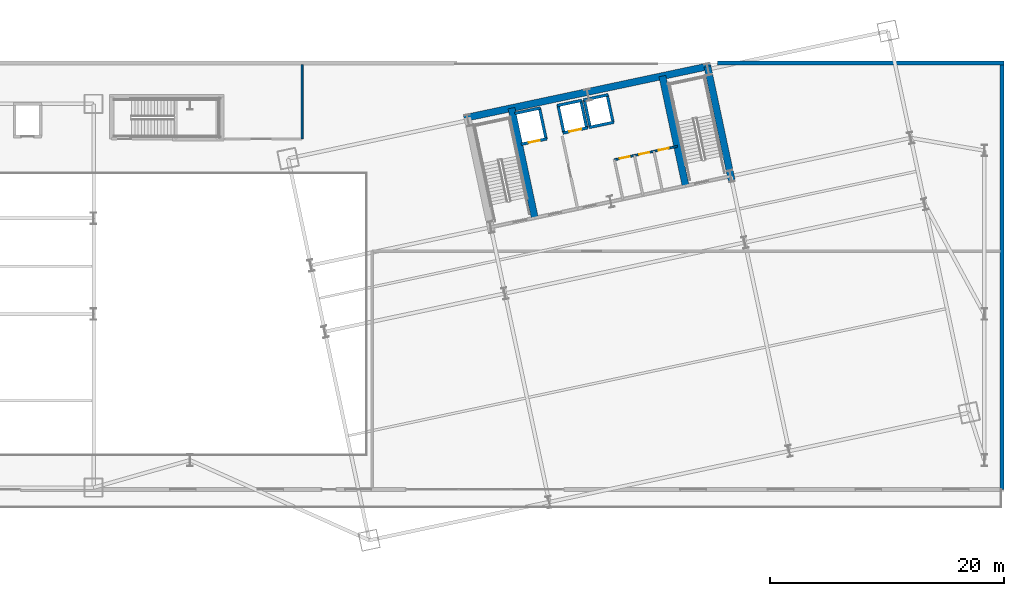
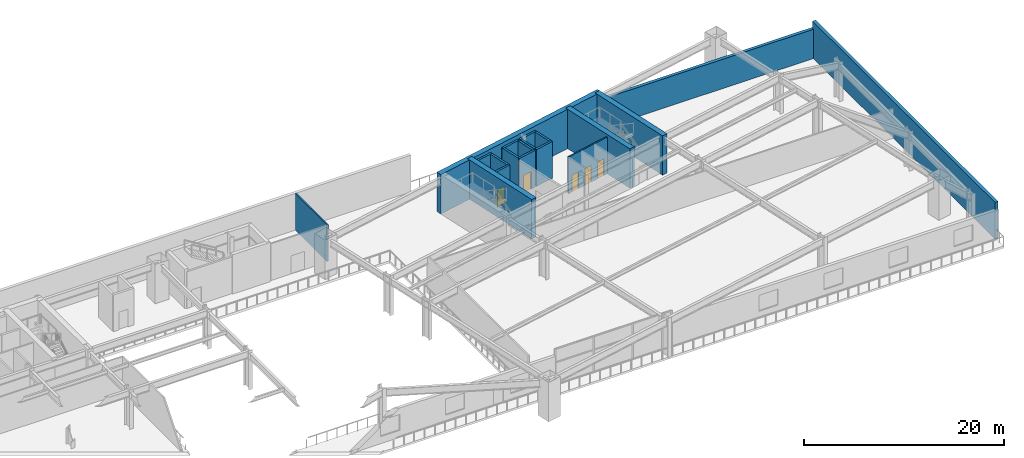
# One storey, part 15 of 28: 19 walls, 5 doors, 5 openings.
"""IFC4 building model written with IfcOpenShell, lengths in metres."""

from ifc_helpers import new_model, si_unit, direction, frame, frame_2d, origin, place, context, subcontext, project, spatial, rectangle, extrude, material, layer, layer_set, type_object, element, fill, save


model = new_model("IFC4")

# Units and contexts
model_context = context("Model", 3, precision=1e-05, world=origin(), true_north=direction((0.0, 1.0)))
body_context = subcontext(model_context, "Body", "Model", "MODEL_VIEW")
ifc_project = project(units=[si_unit("LENGTHUNIT", "METRE"), si_unit("AREAUNIT", "SQUARE_METRE"), si_unit("VOLUMEUNIT", "CUBIC_METRE"), si_unit("PLANEANGLEUNIT", "RADIAN"), si_unit("MASSUNIT", "GRAM", prefix="KILO")], contexts=[model_context])

# Site, building, storey
site_placement = place(None, origin())
site = spatial("IfcSite", under=ifc_project, at=site_placement, CompositionType="ELEMENT")
building_placement = place(site_placement, origin())
building = spatial("IfcBuilding", under=site, at=building_placement, Name="Haevon Station Towers", CompositionType="ELEMENT")
storey_placement = place(building_placement, frame((0.0, 0.0, 10.800048828125)))
storey = spatial("IfcBuildingStorey", under=building, at=storey_placement, Name="L02", CompositionType="ELEMENT", Elevation=10.800048828125)

# Walls
ifc_material_1 = material(Name="Concrete C60/75", Category="concrete")
ifc_layer_1 = layer(ifc_material_1, 0.60009765625)
ifc_layer_set_1 = layer_set([ifc_layer_1], Name="Concrete C60/75")
wall_type_1 = type_object("IfcWallType", Name="WL-CR600", PredefinedType="SHEAR", material=ifc_layer_set_1)
wall_1_placement = place(storey_placement, frame((96.462890625, 46.770263671875, 0.0), z_axis=(0.0, 0.0, 1.0), x_axis=(0.978147272959, 0.207913232873, 0.0)))
element("IfcWall", 1, at=wall_1_placement, inside=storey, type_object=wall_type_1, Name="WL-T2CR-L02-N", PredefinedType="SHEAR", context=body_context, shape_type="SweptSolid", body=[
    extrude(rectangle(XDim=21.60009765625, YDim=0.60009765625, at=frame_2d((10.800048828125, 0.0))), origin(), (0.0, 0.0, 1.0), 4.800048828125),
])
wall_2_placement = place(storey_placement, frame((119.401611328125, 41.2998046875, 0.0), z_axis=(0.0, 0.0, 1.0), x_axis=(-0.207904342798, 0.978149162575, 0.0)))
element("IfcWall", 2, at=wall_2_placement, inside=storey, type_object=wall_type_1, Name="WL-T2CR-L02-E", PredefinedType="SHEAR", context=body_context, shape_type="SweptSolid", body=[
    extrude(rectangle(XDim=10.1201171875, YDim=0.60009765625, at=frame_2d((5.06005859375, 0.0))), origin(), (0.0, 0.0, 1.0), 4.800048828125),
])
for number, where, z_axis, x_axis, name in (
    (3, (102.518310546875, 38.242919921875, 0.0), (0.0, 0.0, 1.0), (-0.207927495108, 0.978144241295, 0.0), "WL-T2CR-L02-M1"),
    (4, (115.4296875, 40.9873046875, 0.0), (0.0, 0.0, 1.0), (-0.207903162969, 0.978149413345, 0.0), "WL-T2CR-L02-M2"),
):
    element("IfcWall", number, at=place(storey_placement, frame(where, z_axis=z_axis, x_axis=x_axis)), inside=storey, type_object=wall_type_1, Name=name, PredefinedType="SHEAR", context=body_context, shape_type="SweptSolid", body=[
        extrude(rectangle(XDim=9.599853515625, YDim=0.60009765625, at=frame_2d((4.7998046875, 0.0))), origin(), (0.0, 0.0, 1.0), 4.800048828125),
    ])
ifc_material_2 = material(Name="Precast concrete C45/55", Category="concrete")
ifc_layer_2 = layer(ifc_material_2, 0.360107421875)
ifc_layer_set_2 = layer_set([ifc_layer_2], Name="Precast concrete C45/55")
wall_type_2 = type_object("IfcWallType", Name="WL-EXT-POD360", PredefinedType="SOLIDWALL", material=ifc_layer_set_2)
wall_3_placement = place(storey_placement, frame((118.14990234375, 51.5, 0.0), z_axis=(0.0, 0.0, 1.0), x_axis=(1.0, 0.0, 0.0)))
element("IfcWall", 5, at=wall_3_placement, inside=storey, type_object=wall_type_2, Name="WL-POD-L02-N2", PredefinedType="SOLIDWALL", context=body_context, shape_type="SweptSolid", body=[
    extrude(rectangle(XDim=24.530029296875, YDim=0.360107421875, at=frame_2d((12.26513671875, 0.0))), origin(), (0.0, 0.0, 1.0), 3.579833984375),
])
wall_4_placement = place(storey_placement, frame((142.5, 51.5, 0.0), z_axis=(0.0, 0.0, 1.0), x_axis=(0.0, -1.0, 0.0)))
element("IfcWall", 6, at=wall_4_placement, inside=storey, type_object=wall_type_2, Name="WL-POD-L02-E", PredefinedType="SOLIDWALL", context=body_context, shape_type="SweptSolid", body=[
    extrude(rectangle(XDim=36.5, YDim=0.360107421875, at=frame_2d((18.25, 0.0))), origin(), (0.0, 0.0, 1.0), 4.47998046875),
])
ifc_material_3 = material(Name="Gypsum board on steel stud", Category="steel")
ifc_layer_3 = layer(ifc_material_3, 0.159912109375)
ifc_layer_set_3 = layer_set([ifc_layer_3], Name="Gypsum board on steel stud")
wall_type_3 = type_object("IfcWallType", Name="WL-PRT160", PredefinedType="PARTITIONING", material=ifc_layer_set_3)
wall_5_placement = place(storey_placement, frame((82.60009765625, 45.0, 0.0), z_axis=(0.0, 0.0, 1.0), x_axis=(0.0, 1.0, 0.0)))
element("IfcWall", 7, at=wall_5_placement, inside=storey, type_object=wall_type_3, Name="WL-L02-NORTHE", PredefinedType="PARTITIONING", context=body_context, shape_type="SweptSolid", body=[
    extrude(rectangle(XDim=6.35009765625, YDim=0.159912109375, at=frame_2d((3.175048828125, 0.0))), origin(), (0.0, 0.0, 1.0), 4.47998046875),
])

# Wall, openings, doors
wall_6_placement = place(storey_placement, frame((109.332763671875, 43.218505859375, 0.0), z_axis=(0.0, 0.0, 1.0), x_axis=(0.978153773776, 0.207882646816, 0.0)))
wall_6 = element("IfcWall", 8, at=wall_6_placement, inside=storey, type_object=wall_type_3, Name="WL-T2CW-L02-04", PredefinedType="PARTITIONING", context=body_context, shape_type="SweptSolid", body=[
    extrude(rectangle(XDim=5.499755859375, YDim=0.159912109375, at=frame_2d((2.75, 0.0))), origin(), (0.0, 0.0, 1.0), 4.47998046875),
])
opening_1_placement = place(wall_6_placement, frame((0.469970703125, 0.0, 0.0)))
opening_1 = element("IfcOpeningElement", 9, at=opening_1_placement, cuts=wall_6, Name="Opening DR-WL-T2CW-L02-04-1", PredefinedType="OPENING", context=body_context, shape_type="SweptSolid", body=[
    extrude(rectangle(XDim=0.85009765625, YDim=2.050048828125, at=frame_2d((0.425048828125, 1.02490234375))), frame((0.0, 0.08984375, 0.0), z_axis=(0.0, -1.0, 0.0), x_axis=(1.0, 0.0, 0.0)), (0.0, 0.0, 1.0), 0.179931640625),
])
opening_2_placement = place(wall_6_placement, frame((2.179931640625, 0.0, 0.0)))
opening_2 = element("IfcOpeningElement", 10, at=opening_2_placement, cuts=wall_6, Name="Opening DR-WL-T2CW-L02-04-2", PredefinedType="OPENING", context=body_context, shape_type="SweptSolid", body=[
    extrude(rectangle(XDim=0.85009765625, YDim=2.050048828125, at=frame_2d((0.425048828125, 1.02490234375))), frame((0.0, 0.08984375, 0.0), z_axis=(0.0, -1.0, 0.0), x_axis=(1.0, 0.0, 0.0)), (0.0, 0.0, 1.0), 0.179931640625),
])
opening_3_placement = place(wall_6_placement, frame((3.89501953125, 0.0, 0.0)))
opening_3 = element("IfcOpeningElement", 11, at=opening_3_placement, cuts=wall_6, Name="Opening DR-WL-T2CW-L02-04-3", PredefinedType="OPENING", context=body_context, shape_type="SweptSolid", body=[
    extrude(rectangle(XDim=0.85009765625, YDim=2.050048828125, at=frame_2d((0.425048828125, 1.02490234375))), frame((0.0, 0.08984375, 0.0), z_axis=(0.0, -1.0, 0.0), x_axis=(1.0, 0.0, 0.0)), (0.0, 0.0, 1.0), 0.179931640625),
])
ifc_material_4 = material(Name="Engineered oak timber", Category="wood")
door_type_1 = type_object("IfcDoorType", Name="DR-FD30-850", OperationType="NOTDEFINED", PredefinedType="DOOR", material=ifc_material_4)
door_1_placement = place(opening_1_placement, origin())
door_1 = element("IfcDoor", 12, at=door_1_placement, inside=storey, type_object=door_type_1, Name="L02 Tower 2 Core Room Door 4-1", OperationType="SINGLE_SWING_RIGHT", OverallHeight=2.050048828125, OverallWidth=0.85009765625, PredefinedType="DOOR", context=body_context, shape_type="SweptSolid", body=[
    extrude(rectangle(XDim=0.85009765625, YDim=2.050048828125, at=frame_2d((0.425048828125, 1.02490234375))), frame((0.0, 0.02490234375, 0.0), z_axis=(0.0, -1.0, 0.0), x_axis=(1.0, 0.0, 0.0)), (0.0, 0.0, 1.0), 0.050048828125),
])
fill(opening_1, door_1)
door_2_placement = place(opening_2_placement, origin())
door_2 = element("IfcDoor", 13, at=door_2_placement, inside=storey, type_object=door_type_1, Name="L02 Tower 2 Core Room Door 4-2", OperationType="SINGLE_SWING_LEFT", OverallHeight=2.050048828125, OverallWidth=0.85009765625, PredefinedType="DOOR", context=body_context, shape_type="SweptSolid", body=[
    extrude(rectangle(XDim=0.85009765625, YDim=2.050048828125, at=frame_2d((0.425048828125, 1.02490234375))), frame((0.0, 0.02490234375, 0.0), z_axis=(0.0, -1.0, 0.0), x_axis=(1.0, 0.0, 0.0)), (0.0, 0.0, 1.0), 0.050048828125),
])
fill(opening_2, door_2)
door_3_placement = place(opening_3_placement, origin())
door_3 = element("IfcDoor", 14, at=door_3_placement, inside=storey, type_object=door_type_1, Name="L02 Tower 2 Core Room Door 4-3", OperationType="SINGLE_SWING_RIGHT", OverallHeight=2.050048828125, OverallWidth=0.85009765625, PredefinedType="DOOR", context=body_context, shape_type="SweptSolid", body=[
    extrude(rectangle(XDim=0.85009765625, YDim=2.050048828125, at=frame_2d((0.425048828125, 1.02490234375))), frame((0.0, 0.02490234375, 0.0), z_axis=(0.0, -1.0, 0.0), x_axis=(1.0, 0.0, 0.0)), (0.0, 0.0, 1.0), 0.050048828125),
])
fill(opening_3, door_3)

# Wall, opening, door
ifc_material_5 = material(Name="Concrete C40/50", Category="concrete")
ifc_layer_4 = layer(ifc_material_5, 0.239990234375)
ifc_layer_set_4 = layer_set([ifc_layer_4], Name="Concrete C40/50")
wall_type_4 = type_object("IfcWallType", Name="WL-SHF240", PredefinedType="PARTITIONING", material=ifc_layer_set_4)
wall_7_placement = place(storey_placement, frame((101.353759765625, 44.538330078125, 0.0), z_axis=(0.0, 0.0, 1.0), x_axis=(0.978141002414, 0.207942731049, 0.0)))
wall_7 = element("IfcWall", 15, at=wall_7_placement, inside=storey, type_object=wall_type_4, Name="WL-SHF-FL2-L02", PredefinedType="PARTITIONING", context=body_context, shape_type="SweptSolid", body=[
    extrude(rectangle(XDim=2.260009765625, YDim=0.239990234375, at=frame_2d((1.1298828125, 0.0))), origin(), (0.0, 0.0, 1.0), 4.47998046875),
])
opening_4_placement = place(wall_7_placement, frame((0.655029296875, 0.0, 0.0)))
opening_4 = element("IfcOpeningElement", 16, at=opening_4_placement, cuts=wall_7, Name="Opening LD-FL2-L02", PredefinedType="OPENING", context=body_context, shape_type="SweptSolid", body=[
    extrude(rectangle(XDim=0.949951171875, YDim=2.14990234375, at=frame_2d((0.47509765625, 1.074951171875))), frame((0.0, 0.1298828125, 0.0), z_axis=(0.0, -1.0, 0.0), x_axis=(1.0, 0.0, 0.0)), (0.0, 0.0, 1.0), 0.260009765625),
])
ifc_material_6 = material(Name="Stainless steel and rated core", Category="steel")
door_type_2 = type_object("IfcDoorType", Name="LD-FL950", OperationType="SLIDING_TO_LEFT", PredefinedType="DOOR", material=ifc_material_6)
door_4_placement = place(opening_4_placement, origin())
door_4 = element("IfcDoor", 17, at=door_4_placement, inside=storey, type_object=door_type_2, Name="L02 Lift FL2 Sliding Landing Door", OperationType="SLIDING_TO_LEFT", OverallHeight=2.14990234375, OverallWidth=0.949951171875, PredefinedType="DOOR", context=body_context, shape_type="SweptSolid", body=[
    extrude(rectangle(XDim=0.949951171875, YDim=2.14990234375, at=frame_2d((0.47509765625, 1.074951171875))), frame((0.0, 0.02490234375, 0.0), z_axis=(0.0, -1.0, 0.0), x_axis=(1.0, 0.0, 0.0)), (0.0, 0.0, 1.0), 0.050048828125),
])
fill(opening_4, door_4)

# Walls
wall_8_placement = place(storey_placement, frame((100.79248046875, 47.179443359375, 0.0), z_axis=(0.0, 0.0, 1.0), x_axis=(0.978162968872, 0.207839376268, 0.0)))
element("IfcWall", 18, at=wall_8_placement, inside=storey, type_object=wall_type_4, Name="WL-SHF-FL2-L02-N", PredefinedType="PARTITIONING", context=body_context, shape_type="SweptSolid", body=[
    extrude(rectangle(XDim=2.260009765625, YDim=0.239990234375, at=frame_2d((1.1298828125, 0.0))), origin(), (0.0, 0.0, 1.0), 4.47998046875),
])
wall_9_placement = place(storey_placement, frame((103.486328125, 44.99169921875, 0.0), z_axis=(0.0, 0.0, 1.0), x_axis=(-0.207978798957, 0.978133334052, 0.0)))
element("IfcWall", 19, at=wall_9_placement, inside=storey, type_object=wall_type_4, Name="WL-SHF-FL2-L02-E", PredefinedType="PARTITIONING", context=body_context, shape_type="SweptSolid", body=[
    extrude(rectangle(XDim=2.699951171875, YDim=0.239990234375, at=frame_2d((1.35009765625, 0.0))), origin(), (0.0, 0.0, 1.0), 4.47998046875),
])

# Wall, opening, door
wall_10_placement = place(storey_placement, frame((104.931396484375, 45.503173828125, 0.0), z_axis=(0.0, 0.0, 1.0), x_axis=(0.97813528961, 0.207969601673, 0.0)))
wall_10 = element("IfcWall", 20, at=wall_10_placement, inside=storey, type_object=wall_type_4, Name="WL-SHF-PL7-L02", PredefinedType="PARTITIONING", context=body_context, shape_type="SweptSolid", body=[
    extrude(rectangle(XDim=2.159912109375, YDim=0.239990234375, at=frame_2d((1.080078125, 0.0))), origin(), (0.0, 0.0, 1.0), 4.47998046875),
])
opening_5_placement = place(wall_10_placement, frame((0.554931640625, 0.0, 0.0)))
opening_5 = element("IfcOpeningElement", 21, at=opening_5_placement, cuts=wall_10, Name="Opening LD-PL7-L02", PredefinedType="OPENING", context=body_context, shape_type="SweptSolid", body=[
    extrude(rectangle(XDim=1.050048828125, YDim=2.14990234375, at=frame_2d((0.52490234375, 1.074951171875))), frame((0.0, 0.1298828125, 0.0), z_axis=(0.0, -1.0, 0.0), x_axis=(1.0, 0.0, 0.0)), (0.0, 0.0, 1.0), 0.260009765625),
])
door_type_3 = type_object("IfcDoorType", Name="LD-PL1050", OperationType="SLIDING_TO_LEFT", PredefinedType="DOOR", material=ifc_material_6)
door_5_placement = place(opening_5_placement, origin())
door_5 = element("IfcDoor", 22, at=door_5_placement, inside=storey, type_object=door_type_3, Name="L02 Lift PL7 Sliding Landing Door", OperationType="SLIDING_TO_LEFT", OverallHeight=2.14990234375, OverallWidth=1.050048828125, PredefinedType="DOOR", context=body_context, shape_type="SweptSolid", body=[
    extrude(rectangle(XDim=1.050048828125, YDim=2.14990234375, at=frame_2d((0.52490234375, 1.074951171875))), frame((0.0, 0.02490234375, 0.0), z_axis=(0.0, -1.0, 0.0), x_axis=(1.0, 0.0, 0.0)), (0.0, 0.0, 1.0), 0.050048828125),
])
fill(opening_5, door_5)

# Walls
wall_11_placement = place(storey_placement, frame((104.432373046875, 47.850830078125, 0.0), z_axis=(0.0, 0.0, 1.0), x_axis=(0.978158276388, 0.207861459473, 0.0)))
element("IfcWall", 23, at=wall_11_placement, inside=storey, type_object=wall_type_4, Name="WL-SHF-PL7-L02-N", PredefinedType="PARTITIONING", context=body_context, shape_type="SweptSolid", body=[
    extrude(rectangle(XDim=2.159912109375, YDim=0.239990234375, at=frame_2d((1.080078125, 0.0))), origin(), (0.0, 0.0, 1.0), 4.47998046875),
])
wall_12_placement = place(storey_placement, frame((105.009765625, 45.519775390625, 0.0), z_axis=(0.0, 0.0, 1.0), x_axis=(-0.207917150959, 0.978146440129, 0.0)))
element("IfcWall", 24, at=wall_12_placement, inside=storey, type_object=wall_type_4, Name="WL-SHF-PL7-L02-W", PredefinedType="PARTITIONING", context=body_context, shape_type="SweptSolid", body=[
    extrude(rectangle(XDim=2.400146484375, YDim=0.239990234375, at=frame_2d((1.2001953125, 0.0))), origin(), (0.0, 0.0, 1.0), 4.47998046875),
])
wall_13_placement = place(storey_placement, frame((106.966064453125, 45.935791015625, 0.0), z_axis=(0.0, 0.0, 1.0), x_axis=(-0.207937840262, 0.978142042133, 0.0)))
element("IfcWall", 25, at=wall_13_placement, inside=storey, type_object=wall_type_4, Name="WL-SHF-PL7-L02-E", PredefinedType="PARTITIONING", context=body_context, shape_type="SweptSolid", body=[
    extrude(rectangle(XDim=2.39990234375, YDim=0.239990234375, at=frame_2d((1.199951171875, 0.0))), origin(), (0.0, 0.0, 1.0), 4.47998046875),
])
for number, where, z_axis, x_axis, name in (
    (26, (107.18115234375, 45.9814453125, 0.0), (0.0, 0.0, 1.0), (0.97813528961, 0.207969601673, 0.0), "WL-SHF-PL8-L02"),
    (27, (106.68212890625, 48.3291015625, 0.0), (0.0, 0.0, 1.0), (0.978158276388, 0.207861459473, 0.0), "WL-SHF-PL8-L02-N"),
):
    element("IfcWall", number, at=place(storey_placement, frame(where, z_axis=z_axis, x_axis=x_axis)), inside=storey, type_object=wall_type_4, Name=name, PredefinedType="PARTITIONING", context=body_context, shape_type="SweptSolid", body=[
        extrude(rectangle(XDim=2.159912109375, YDim=0.239990234375, at=frame_2d((1.080078125, 0.0))), origin(), (0.0, 0.0, 1.0), 4.47998046875),
    ])
for number, where, z_axis, x_axis, name in (
    (28, (107.259521484375, 45.998046875, 0.0), (0.0, 0.0, 1.0), (-0.207917150959, 0.978146440129, 0.0), "WL-SHF-PL8-L02-W"),
    (29, (109.2158203125, 46.413818359375, 0.0), (0.0, 0.0, 1.0), (-0.207917150959, 0.978146440129, 0.0), "WL-SHF-PL8-L02-E"),
):
    element("IfcWall", number, at=place(storey_placement, frame(where, z_axis=z_axis, x_axis=x_axis)), inside=storey, type_object=wall_type_4, Name=name, PredefinedType="PARTITIONING", context=body_context, shape_type="SweptSolid", body=[
        extrude(rectangle(XDim=2.400146484375, YDim=0.239990234375, at=frame_2d((1.2001953125, 0.0))), origin(), (0.0, 0.0, 1.0), 4.47998046875),
    ])

save(model, "model.ifc")
